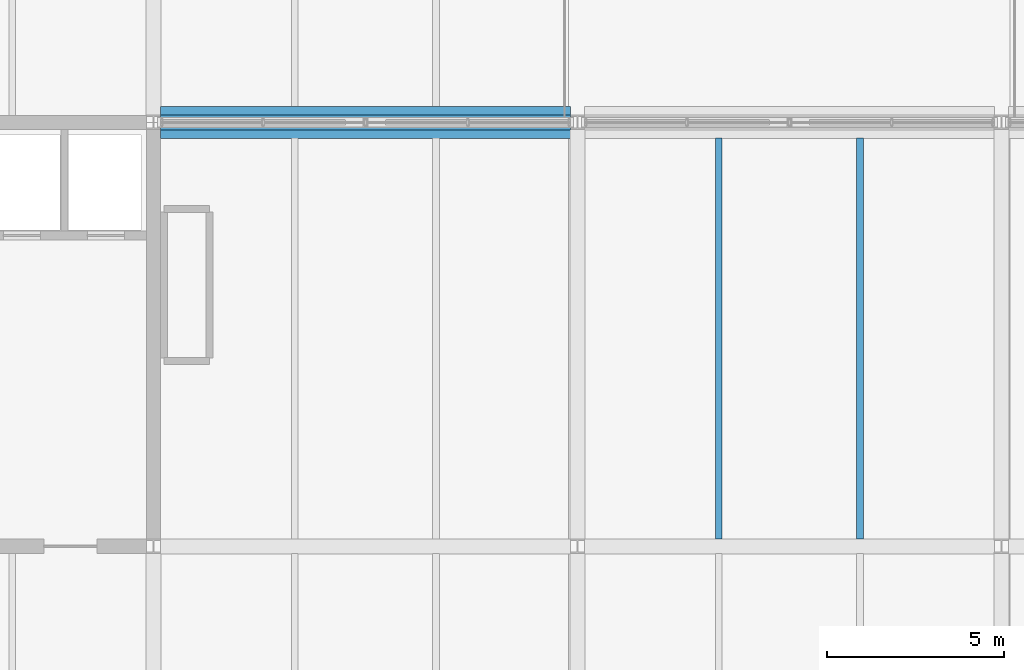
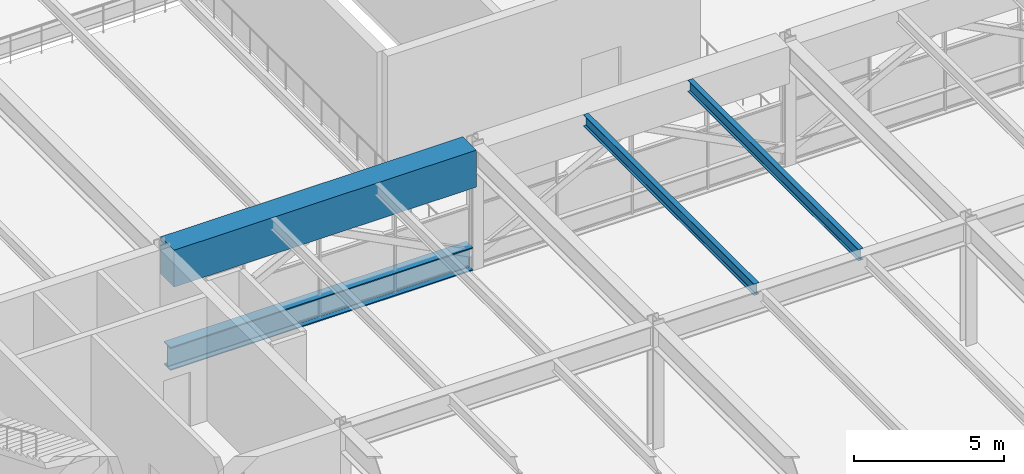
# One storey, part 16 of 42: 3 beams, 1 member.
"""IFC4 building model written with IfcOpenShell, lengths in metres."""

from ifc_helpers import new_model, si_unit, direction, frame, origin, origin_2d, place, context, subcontext, project, spatial, rectangle, i_section, extrude, material, material_profile, profile_set, type_object, element, save


model = new_model("IFC4")

# Units and contexts
model_context = context("Model", 3, precision=1e-05, world=origin(), true_north=direction((0.0, 1.0)))
body_context = subcontext(model_context, "Body", "Model", "MODEL_VIEW")
ifc_project = project(units=[si_unit("LENGTHUNIT", "METRE"), si_unit("AREAUNIT", "SQUARE_METRE"), si_unit("VOLUMEUNIT", "CUBIC_METRE"), si_unit("PLANEANGLEUNIT", "RADIAN"), si_unit("MASSUNIT", "GRAM", prefix="KILO")], contexts=[model_context])

# Site, building, storey
site_placement = place(None, origin())
site = spatial("IfcSite", under=ifc_project, at=site_placement, CompositionType="ELEMENT")
building_placement = place(site_placement, origin())
building = spatial("IfcBuilding", under=site, at=building_placement, Name="Girod Span Mobility Hub", CompositionType="ELEMENT")
storey_placement = place(building_placement, frame((0.0, 0.0, 32.39990234375)))
storey = spatial("IfcBuildingStorey", under=building, at=storey_placement, Name="L08", CompositionType="ELEMENT", Elevation=32.39990234375)

# Beams
ifc_material_1 = material(Name="Steel A992 Grade 50", Category="steel")
ifc_material_profile_1 = material_profile(ifc_material_1, i_section(OverallWidth=0.19189453125, OverallDepth=0.462890625, WebThickness=0.010498046875, FlangeThickness=0.017578125, FilletRadius=0.013916015625, at=origin_2d()), Name="W18X60")
ifc_profile_set_1 = profile_set([ifc_material_profile_1], Name="Steel A992 Grade 50")
beam_type_1 = type_object("IfcBeamType", Name="BM-STL-W18X60", PredefinedType="BEAM", material=ifc_profile_set_1)
for number, where, z_axis, x_axis, name in (
    (1, (76.0, 57.20849609375, 4.80859375), (0.0, 1.0, 0.0), (-1.0, 0.0, 0.0), "Composite Floorbeam 7/E-1 L08"),
    (2, (80.0, 57.20849609375, 4.80859375), (0.0, 1.0, 0.0), (-1.0, 0.0, 0.0), "Composite Floorbeam 7/E-2 L08"),
):
    element("IfcBeam", number, at=place(storey_placement, frame(where, z_axis=z_axis, x_axis=x_axis)), inside=storey, type_object=beam_type_1, Name=name, PredefinedType="BEAM", context=body_context, shape_type="SweptSolid", body=[
        extrude(i_section(OverallWidth=0.19189453125, OverallDepth=0.462890625, WebThickness=0.010498046875, FlangeThickness=0.017578125, FilletRadius=0.013916015625, at=origin_2d()), origin(), (0.0, 0.0, 1.0), 11.344482421875),
    ])
ifc_material_2 = material(Name="Concrete C50/60", Category="concrete")
ifc_material_profile_2 = material_profile(ifc_material_2, rectangle(XDim=0.89990234375, YDim=1.5, at=origin_2d()), Name="TG-900X1500")
ifc_profile_set_2 = profile_set([ifc_material_profile_2], Name="Concrete C50/60")
beam_type_2 = type_object("IfcBeamType", Name="BM-TG-900X1500", PredefinedType="T_BEAM", material=ifc_profile_set_2)
beam_placement = place(storey_placement, frame((60.199951171875, 69.0, 4.2900390625), z_axis=(1.0, 0.0, 0.0), x_axis=(0.0, 1.0, 0.0)))
element("IfcBeam", 3, at=beam_placement, inside=storey, type_object=beam_type_2, Name="Girder 6-7/F L08", PredefinedType="T_BEAM", context=body_context, shape_type="SweptSolid", body=[
    extrude(rectangle(XDim=0.89990234375, YDim=1.5, at=origin_2d()), origin(), (0.0, 0.0, 1.0), 11.60009765625),
])

# Member
ifc_material_3 = material(Name="Steel A992 Grade 50", Category="steel")
ifc_material_profile_3 = material_profile(ifc_material_3, i_section(OverallWidth=0.423095703125, OverallDepth=0.93994140625, WebThickness=0.02392578125, FlangeThickness=0.042724609375, FilletRadius=0.02392578125, at=origin_2d()), Name="W36X302")
ifc_profile_set_3 = profile_set([ifc_material_profile_3], Name="Steel A992 Grade 50")
member_type = type_object("IfcMemberType", Name="MB-CH-W36X302", PredefinedType="CHORD", material=ifc_profile_set_3)
member_placement = place(storey_placement, frame((60.199951171875, 69.0, 0.47998046875), z_axis=(1.0, 0.0, 0.0), x_axis=(0.0, 1.0, 0.0)))
element("IfcMember", 4, at=member_placement, inside=storey, type_object=member_type, Name="Warren Transfer Truss Bottom Chord Y=69 Bay 6", PredefinedType="CHORD", context=body_context, shape_type="SweptSolid", body=[
    extrude(i_section(OverallWidth=0.423095703125, OverallDepth=0.93994140625, WebThickness=0.02392578125, FlangeThickness=0.042724609375, FilletRadius=0.02392578125, at=origin_2d()), origin(), (0.0, 0.0, 1.0), 11.60009765625),
])

save(model, "model.ifc")
